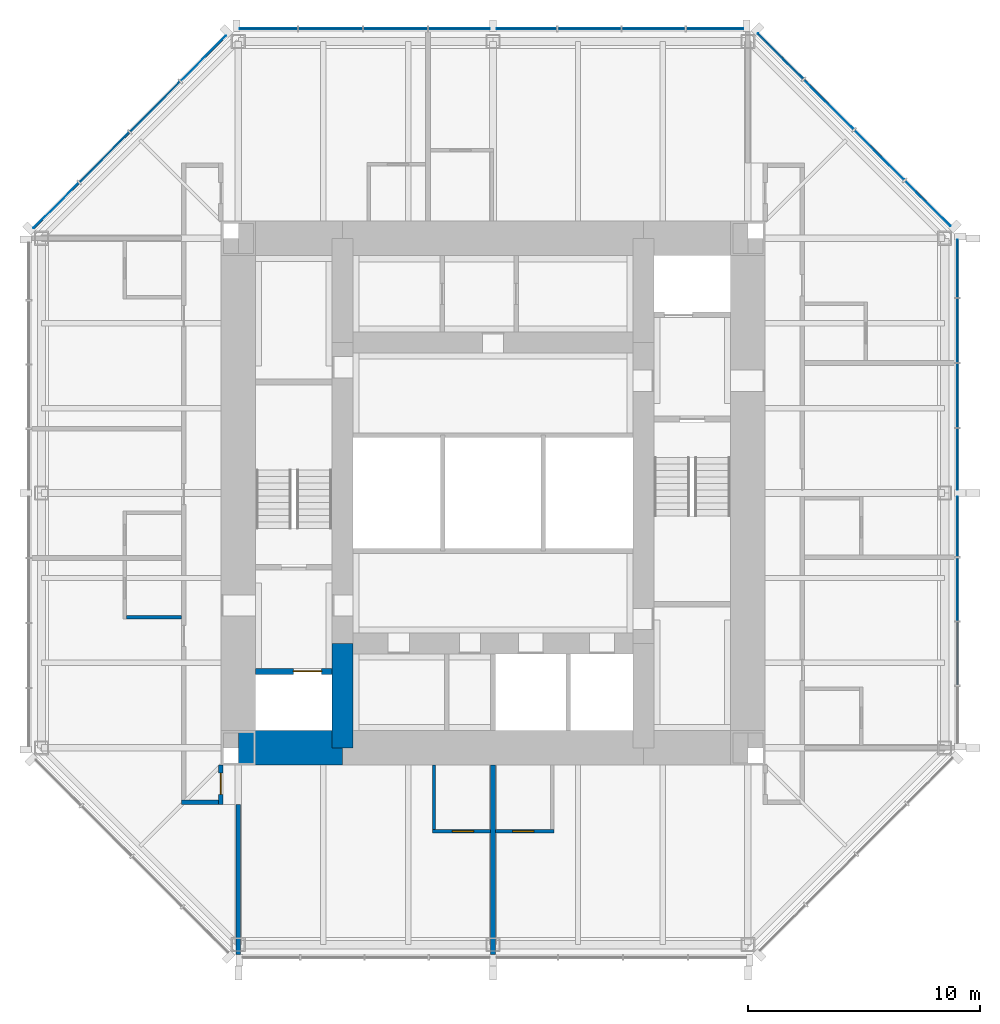
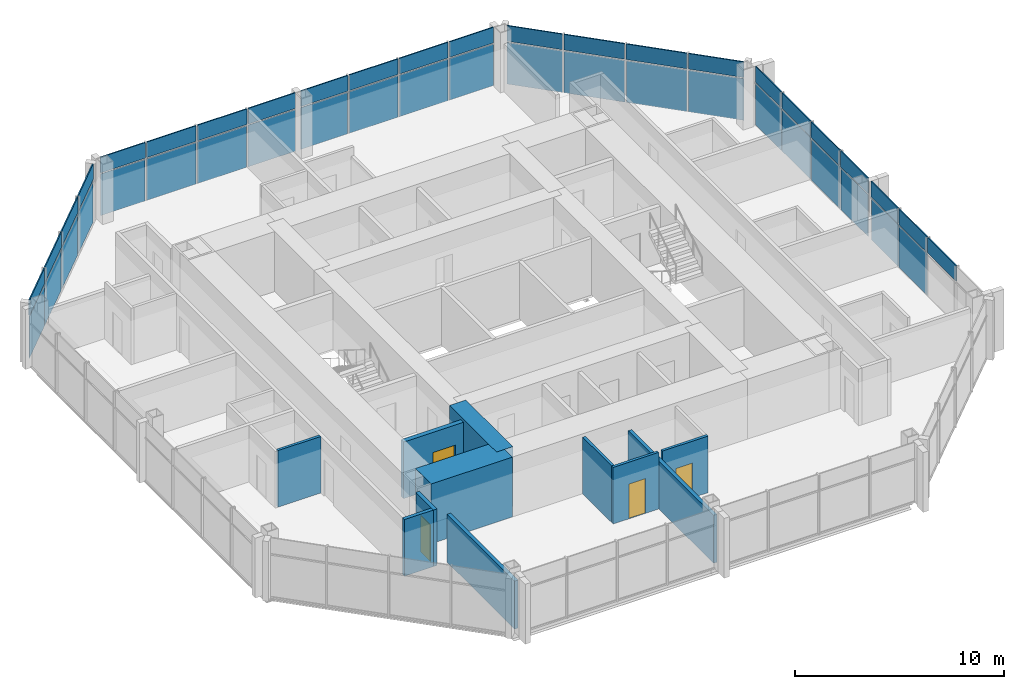
# One storey, part 7 of 11: 45 plates, 11 walls, 4 doors, 4 openings, 4 elements without a shape of their own.
"""IFC4 building model written with IfcOpenShell, lengths in metres."""

from ifc_helpers import new_model, si_unit, direction, frame, frame_2d, origin, origin_2d, place, context, subcontext, project, spatial, rectangle, extrude, material, layer, layer_set, type_object, element, fill, aggregate, save


model = new_model("IFC4")

# Units and contexts
model_context = context("Model", 3, precision=1e-05, world=origin(), true_north=direction((0.0, 1.0)))
body_context = subcontext(model_context, "Body", "Model", "MODEL_VIEW")
ifc_project = project(units=[si_unit("LENGTHUNIT", "METRE"), si_unit("AREAUNIT", "SQUARE_METRE"), si_unit("VOLUMEUNIT", "CUBIC_METRE"), si_unit("PLANEANGLEUNIT", "RADIAN"), si_unit("MASSUNIT", "GRAM", prefix="KILO")], contexts=[model_context])

# Site, building, storey
site_placement = place(None, origin())
site = spatial("IfcSite", under=ifc_project, at=site_placement, CompositionType="ELEMENT")
building_placement = place(site_placement, origin())
building = spatial("IfcBuilding", under=site, at=building_placement, Name="Trevanion Tower", CompositionType="ELEMENT")
storey_placement = place(building_placement, frame((0.0, 0.0, 236.199951171875)))
storey = spatial("IfcBuildingStorey", under=building, at=storey_placement, Name="L57", CompositionType="ELEMENT", Elevation=236.199951171875)

# Curtain wall, plates
ifc_material_1 = material(Name="Aluminium and glass", Category="aluminium")
curtain_wall_type = type_object("IfcCurtainWallType", Name="CW3 curtain wall", PredefinedType="USERDEFINED", material=ifc_material_1)
curtain_wall_1_placement = place(storey_placement, origin())
curtain_wall_1 = element("IfcCurtainWall", 1, at=curtain_wall_1_placement, inside=storey, type_object=curtain_wall_type, Name="CW3 L57 0", ObjectType="UNITISED CURTAIN WALL", PredefinedType="USERDEFINED")
ifc_material_2 = material(Name="Aluminium spandrel panel", Category="aluminium")
ifc_layer_1 = layer(ifc_material_2, 0.06005859375)
ifc_layer_set_1 = layer_set([ifc_layer_1], Name="CW3 spandrel panel")
plate_type_1 = type_object("IfcPlateType", Name="CW3 spandrel panel", PredefinedType="CURTAIN_PANEL", material=ifc_layer_set_1)
plate_1_placement = place(storey_placement, frame((20.050048828125, -6.93603515625, 2.3974609375), z_axis=(0.0, 0.0, 1.0), x_axis=(0.0, 1.0, 0.0)))
plate_1 = element("IfcPlate", 2, at=plate_1_placement, type_object=plate_type_1, Name="CW3 panel 2.2", PredefinedType="CURTAIN_PANEL", context=body_context, shape_type="SweptSolid", body=[
    extrude(rectangle(XDim=2.699462890625, YDim=0.06005859375, at=origin_2d()), origin(), (0.0, 0.0, 1.0), 0.91259765625),
])
plate_2_placement = place(storey_placement, frame((20.050048828125, -4.16162109375, 2.3974609375), z_axis=(0.0, 0.0, 1.0), x_axis=(0.0, 1.0, 0.0)))
plate_2 = element("IfcPlate", 3, at=plate_2_placement, type_object=plate_type_1, Name="CW3 panel 3.2", PredefinedType="CURTAIN_PANEL", context=body_context, shape_type="SweptSolid", body=[
    extrude(rectangle(XDim=2.699462890625, YDim=0.06005859375, at=origin_2d()), origin(), (0.0, 0.0, 1.0), 0.91259765625),
])
plate_3_placement = place(storey_placement, frame((20.050048828125, -1.443603515625, 2.3974609375), z_axis=(0.0, 0.0, 1.0), x_axis=(0.0, 1.0, 0.0)))
plate_3 = element("IfcPlate", 4, at=plate_3_placement, type_object=plate_type_1, Name="CW3 panel 4.2", PredefinedType="CURTAIN_PANEL", context=body_context, shape_type="SweptSolid", body=[
    extrude(rectangle(XDim=2.5869140625, YDim=0.06005859375, at=origin_2d()), origin(), (0.0, 0.0, 1.0), 0.91259765625),
])
plate_4_placement = place(storey_placement, frame((20.050048828125, 1.459716796875, 2.3974609375), z_axis=(0.0, 0.0, 1.0), x_axis=(0.0, 1.0, 0.0)))
plate_4 = element("IfcPlate", 5, at=plate_4_placement, type_object=plate_type_1, Name="CW3 panel 5.2", PredefinedType="CURTAIN_PANEL", context=body_context, shape_type="SweptSolid", body=[
    extrude(rectangle(XDim=2.619384765625, YDim=0.06005859375, at=origin_2d()), origin(), (0.0, 0.0, 1.0), 0.91259765625),
])
plate_5_placement = place(storey_placement, frame((20.050048828125, 4.21044921875, 2.3974609375), z_axis=(0.0, 0.0, 1.0), x_axis=(0.0, 1.0, 0.0)))
plate_5 = element("IfcPlate", 6, at=plate_5_placement, type_object=plate_type_1, Name="CW3 panel 6.2", PredefinedType="CURTAIN_PANEL", context=body_context, shape_type="SweptSolid", body=[
    extrude(rectangle(XDim=2.73193359375, YDim=0.06005859375, at=origin_2d()), origin(), (0.0, 0.0, 1.0), 0.91259765625),
])
plate_6_placement = place(storey_placement, frame((20.050048828125, 7.017333984375, 2.3974609375), z_axis=(0.0, 0.0, 1.0), x_axis=(0.0, 1.0, 0.0)))
plate_6 = element("IfcPlate", 7, at=plate_6_placement, type_object=plate_type_1, Name="CW3 panel 7.2", PredefinedType="CURTAIN_PANEL", context=body_context, shape_type="SweptSolid", body=[
    extrude(rectangle(XDim=2.73193359375, YDim=0.06005859375, at=origin_2d()), origin(), (0.0, 0.0, 1.0), 0.91259765625),
])
plate_7_placement = place(storey_placement, frame((20.050048828125, 9.693115234375, 2.3974609375), z_axis=(0.0, 0.0, 1.0), x_axis=(0.0, 1.0, 0.0)))
plate_7 = element("IfcPlate", 8, at=plate_7_placement, type_object=plate_type_1, Name="CW3 panel 8.2", PredefinedType="CURTAIN_PANEL", context=body_context, shape_type="SweptSolid", body=[
    extrude(rectangle(XDim=2.469482421875, YDim=0.06005859375, at=origin_2d()), origin(), (0.0, 0.0, 1.0), 0.91259765625),
])

curtain_wall_2_placement = place(storey_placement, origin())
curtain_wall_2 = element("IfcCurtainWall", 9, at=curtain_wall_2_placement, inside=storey, type_object=curtain_wall_type, Name="CW3 L57 1", ObjectType="UNITISED CURTAIN WALL", PredefinedType="USERDEFINED")
plate_8_placement = place(storey_placement, frame((18.77392578125, 12.50390625, 2.3974609375), z_axis=(0.0, 0.0, 1.0), x_axis=(-0.707106781187, 0.707106781187, 0.0)))
plate_8 = element("IfcPlate", 10, at=plate_8_placement, type_object=plate_type_1, Name="CW3 panel 1.2", PredefinedType="CURTAIN_PANEL", context=body_context, shape_type="SweptSolid", body=[
    extrude(rectangle(XDim=2.7490234375, YDim=0.06005859375, at=origin_2d()), origin(), (0.0, 0.0, 1.0), 0.91259765625),
])
plate_9_placement = place(storey_placement, frame((16.68408203125, 14.593505859375, 2.3974609375), z_axis=(0.0, 0.0, 1.0), x_axis=(-0.707106781187, 0.707106781187, 0.0)))
plate_9 = element("IfcPlate", 11, at=plate_9_placement, type_object=plate_type_1, Name="CW3 panel 2.2", PredefinedType="CURTAIN_PANEL", context=body_context, shape_type="SweptSolid", body=[
    extrude(rectangle(XDim=3.01171875, YDim=0.06005859375, at=origin_2d()), origin(), (0.0, 0.0, 1.0), 0.91259765625),
])
plate_10_placement = place(storey_placement, frame((14.501708984375, 16.776123046875, 2.3974609375), z_axis=(0.0, 0.0, 1.0), x_axis=(-0.707106781187, 0.707106781187, 0.0)))
plate_10 = element("IfcPlate", 12, at=plate_10_placement, type_object=plate_type_1, Name="CW3 panel 3.2", PredefinedType="CURTAIN_PANEL", context=body_context, shape_type="SweptSolid", body=[
    extrude(rectangle(XDim=3.01171875, YDim=0.06005859375, at=origin_2d()), origin(), (0.0, 0.0, 1.0), 0.91259765625),
])
plate_11_placement = place(storey_placement, frame((12.411865234375, 18.865966796875, 2.3974609375), z_axis=(0.0, 0.0, 1.0), x_axis=(-0.707106781187, 0.707106781187, 0.0)))
plate_11 = element("IfcPlate", 13, at=plate_11_placement, type_object=plate_type_1, Name="CW3 panel 4.2", PredefinedType="CURTAIN_PANEL", context=body_context, shape_type="SweptSolid", body=[
    extrude(rectangle(XDim=2.7490234375, YDim=0.06005859375, at=origin_2d()), origin(), (0.0, 0.0, 1.0), 0.91259765625),
])

curtain_wall_3_placement = place(storey_placement, origin())
curtain_wall_3 = element("IfcCurtainWall", 14, at=curtain_wall_3_placement, inside=storey, type_object=curtain_wall_type, Name="CW3 L57 2", ObjectType="UNITISED CURTAIN WALL", PredefinedType="USERDEFINED")
plate_12_placement = place(storey_placement, frame((9.579345703125, 20.050048828125, 2.3974609375), z_axis=(0.0, 0.0, 1.0), x_axis=(-1.0, 0.0, 0.0)))
plate_12 = element("IfcPlate", 15, at=plate_12_placement, type_object=plate_type_1, Name="CW3 panel 1.2", PredefinedType="CURTAIN_PANEL", context=body_context, shape_type="SweptSolid", body=[
    extrude(rectangle(XDim=2.43701171875, YDim=0.06005859375, at=origin_2d()), origin(), (0.0, 0.0, 1.0), 0.91259765625),
])
plate_13_placement = place(storey_placement, frame((6.93603515625, 20.050048828125, 2.3974609375), z_axis=(0.0, 0.0, 1.0), x_axis=(-1.0, 0.0, 0.0)))
plate_13 = element("IfcPlate", 16, at=plate_13_placement, type_object=plate_type_1, Name="CW3 panel 2.2", PredefinedType="CURTAIN_PANEL", context=body_context, shape_type="SweptSolid", body=[
    extrude(rectangle(XDim=2.699462890625, YDim=0.06005859375, at=origin_2d()), origin(), (0.0, 0.0, 1.0), 0.91259765625),
])
plate_14_placement = place(storey_placement, frame((4.16162109375, 20.050048828125, 2.3974609375), z_axis=(0.0, 0.0, 1.0), x_axis=(-1.0, 0.0, 0.0)))
plate_14 = element("IfcPlate", 17, at=plate_14_placement, type_object=plate_type_1, Name="CW3 panel 3.2", PredefinedType="CURTAIN_PANEL", context=body_context, shape_type="SweptSolid", body=[
    extrude(rectangle(XDim=2.699462890625, YDim=0.06005859375, at=origin_2d()), origin(), (0.0, 0.0, 1.0), 0.91259765625),
])
plate_15_placement = place(storey_placement, frame((1.443603515625, 20.050048828125, 2.3974609375), z_axis=(0.0, 0.0, 1.0), x_axis=(-1.0, 0.0, 0.0)))
plate_15 = element("IfcPlate", 18, at=plate_15_placement, type_object=plate_type_1, Name="CW3 panel 4.2", PredefinedType="CURTAIN_PANEL", context=body_context, shape_type="SweptSolid", body=[
    extrude(rectangle(XDim=2.5869140625, YDim=0.06005859375, at=origin_2d()), origin(), (0.0, 0.0, 1.0), 0.91259765625),
])
plate_16_placement = place(storey_placement, frame((-1.459716796875, 20.050048828125, 2.3974609375), z_axis=(0.0, 0.0, 1.0), x_axis=(-1.0, 0.0, 0.0)))
plate_16 = element("IfcPlate", 19, at=plate_16_placement, type_object=plate_type_1, Name="CW3 panel 5.2", PredefinedType="CURTAIN_PANEL", context=body_context, shape_type="SweptSolid", body=[
    extrude(rectangle(XDim=2.619384765625, YDim=0.06005859375, at=origin_2d()), origin(), (0.0, 0.0, 1.0), 0.91259765625),
])
plate_17_placement = place(storey_placement, frame((-4.21044921875, 20.050048828125, 2.3974609375), z_axis=(0.0, 0.0, 1.0), x_axis=(-1.0, 0.0, 0.0)))
plate_17 = element("IfcPlate", 20, at=plate_17_placement, type_object=plate_type_1, Name="CW3 panel 6.2", PredefinedType="CURTAIN_PANEL", context=body_context, shape_type="SweptSolid", body=[
    extrude(rectangle(XDim=2.73193359375, YDim=0.06005859375, at=origin_2d()), origin(), (0.0, 0.0, 1.0), 0.91259765625),
])
plate_18_placement = place(storey_placement, frame((-7.017333984375, 20.050048828125, 2.3974609375), z_axis=(0.0, 0.0, 1.0), x_axis=(-1.0, 0.0, 0.0)))
plate_18 = element("IfcPlate", 21, at=plate_18_placement, type_object=plate_type_1, Name="CW3 panel 7.2", PredefinedType="CURTAIN_PANEL", context=body_context, shape_type="SweptSolid", body=[
    extrude(rectangle(XDim=2.73193359375, YDim=0.06005859375, at=origin_2d()), origin(), (0.0, 0.0, 1.0), 0.91259765625),
])
plate_19_placement = place(storey_placement, frame((-9.693115234375, 20.050048828125, 2.3974609375), z_axis=(0.0, 0.0, 1.0), x_axis=(-1.0, 0.0, 0.0)))
plate_19 = element("IfcPlate", 22, at=plate_19_placement, type_object=plate_type_1, Name="CW3 panel 8.2", PredefinedType="CURTAIN_PANEL", context=body_context, shape_type="SweptSolid", body=[
    extrude(rectangle(XDim=2.469482421875, YDim=0.06005859375, at=origin_2d()), origin(), (0.0, 0.0, 1.0), 0.91259765625),
])

curtain_wall_4_placement = place(storey_placement, origin())
curtain_wall_4 = element("IfcCurtainWall", 23, at=curtain_wall_4_placement, inside=storey, type_object=curtain_wall_type, Name="CW3 L57 3", ObjectType="UNITISED CURTAIN WALL", PredefinedType="USERDEFINED")
plate_20_placement = place(storey_placement, frame((-12.50390625, 18.77392578125, 2.3974609375), z_axis=(0.0, 0.0, 1.0), x_axis=(-0.707106781187, -0.707106781187, 0.0)))
plate_20 = element("IfcPlate", 24, at=plate_20_placement, type_object=plate_type_1, Name="CW3 panel 1.2", PredefinedType="CURTAIN_PANEL", context=body_context, shape_type="SweptSolid", body=[
    extrude(rectangle(XDim=2.7490234375, YDim=0.06005859375, at=origin_2d()), origin(), (0.0, 0.0, 1.0), 0.91259765625),
])
plate_21_placement = place(storey_placement, frame((-14.593505859375, 16.68408203125, 2.3974609375), z_axis=(0.0, 0.0, 1.0), x_axis=(-0.707106781187, -0.707106781187, 0.0)))
plate_21 = element("IfcPlate", 25, at=plate_21_placement, type_object=plate_type_1, Name="CW3 panel 2.2", PredefinedType="CURTAIN_PANEL", context=body_context, shape_type="SweptSolid", body=[
    extrude(rectangle(XDim=3.01171875, YDim=0.06005859375, at=origin_2d()), origin(), (0.0, 0.0, 1.0), 0.91259765625),
])
plate_22_placement = place(storey_placement, frame((-16.776123046875, 14.501708984375, 2.3974609375), z_axis=(0.0, 0.0, 1.0), x_axis=(-0.707106781187, -0.707106781187, 0.0)))
plate_22 = element("IfcPlate", 26, at=plate_22_placement, type_object=plate_type_1, Name="CW3 panel 3.2", PredefinedType="CURTAIN_PANEL", context=body_context, shape_type="SweptSolid", body=[
    extrude(rectangle(XDim=3.01171875, YDim=0.06005859375, at=origin_2d()), origin(), (0.0, 0.0, 1.0), 0.91259765625),
])
plate_23_placement = place(storey_placement, frame((-18.865966796875, 12.411865234375, 2.3974609375), z_axis=(0.0, 0.0, 1.0), x_axis=(-0.707106781187, -0.707106781187, 0.0)))
plate_23 = element("IfcPlate", 27, at=plate_23_placement, type_object=plate_type_1, Name="CW3 panel 4.2", PredefinedType="CURTAIN_PANEL", context=body_context, shape_type="SweptSolid", body=[
    extrude(rectangle(XDim=2.7490234375, YDim=0.06005859375, at=origin_2d()), origin(), (0.0, 0.0, 1.0), 0.91259765625),
])

# Plate
ifc_material_3 = material(Name="Insulating glass unit", Category="glass")
ifc_layer_2 = layer(ifc_material_3, 0.028076171875)
ifc_layer_set_2 = layer_set([ifc_layer_2], Name="CW3 vision panel")
plate_type_2 = type_object("IfcPlateType", Name="CW3 vision panel", PredefinedType="CURTAIN_PANEL", material=ifc_layer_set_2)
plate_24_placement = place(storey_placement, frame((20.050048828125, -4.16162109375, -0.114990234375), z_axis=(0.0, 0.0, 1.0), x_axis=(0.0, 1.0, 0.0)))
plate_24 = element("IfcPlate", 28, at=plate_24_placement, type_object=plate_type_2, Name="CW3 panel 3.1", PredefinedType="CURTAIN_PANEL", context=body_context, shape_type="SweptSolid", body=[
    extrude(rectangle(XDim=2.699462890625, YDim=0.028076171875, at=origin_2d()), origin(), (0.0, 0.0, 1.0), 2.4375),
])

plate_25_placement = place(storey_placement, frame((20.050048828125, -1.443603515625, -0.114990234375), z_axis=(0.0, 0.0, 1.0), x_axis=(0.0, 1.0, 0.0)))
plate_25 = element("IfcPlate", 29, at=plate_25_placement, type_object=plate_type_2, Name="CW3 panel 4.1", PredefinedType="CURTAIN_PANEL", context=body_context, shape_type="SweptSolid", body=[
    extrude(rectangle(XDim=2.5869140625, YDim=0.028076171875, at=origin_2d()), origin(), (0.0, 0.0, 1.0), 2.4375),
])

plate_26_placement = place(storey_placement, frame((20.050048828125, 1.459716796875, -0.114990234375), z_axis=(0.0, 0.0, 1.0), x_axis=(0.0, 1.0, 0.0)))
plate_26 = element("IfcPlate", 30, at=plate_26_placement, type_object=plate_type_2, Name="CW3 panel 5.1", PredefinedType="CURTAIN_PANEL", context=body_context, shape_type="SweptSolid", body=[
    extrude(rectangle(XDim=2.619384765625, YDim=0.028076171875, at=origin_2d()), origin(), (0.0, 0.0, 1.0), 2.4375),
])

plate_27_placement = place(storey_placement, frame((20.050048828125, 4.21044921875, -0.114990234375), z_axis=(0.0, 0.0, 1.0), x_axis=(0.0, 1.0, 0.0)))
plate_27 = element("IfcPlate", 31, at=plate_27_placement, type_object=plate_type_2, Name="CW3 panel 6.1", PredefinedType="CURTAIN_PANEL", context=body_context, shape_type="SweptSolid", body=[
    extrude(rectangle(XDim=2.73193359375, YDim=0.028076171875, at=origin_2d()), origin(), (0.0, 0.0, 1.0), 2.4375),
])

plate_28_placement = place(storey_placement, frame((20.050048828125, 7.017333984375, -0.114990234375), z_axis=(0.0, 0.0, 1.0), x_axis=(0.0, 1.0, 0.0)))
plate_28 = element("IfcPlate", 32, at=plate_28_placement, type_object=plate_type_2, Name="CW3 panel 7.1", PredefinedType="CURTAIN_PANEL", context=body_context, shape_type="SweptSolid", body=[
    extrude(rectangle(XDim=2.73193359375, YDim=0.028076171875, at=origin_2d()), origin(), (0.0, 0.0, 1.0), 2.4375),
])

plate_29_placement = place(storey_placement, frame((20.050048828125, 9.693115234375, -0.114990234375), z_axis=(0.0, 0.0, 1.0), x_axis=(0.0, 1.0, 0.0)))
plate_29 = element("IfcPlate", 33, at=plate_29_placement, type_object=plate_type_2, Name="CW3 panel 8.1", PredefinedType="CURTAIN_PANEL", context=body_context, shape_type="SweptSolid", body=[
    extrude(rectangle(XDim=2.469482421875, YDim=0.028076171875, at=origin_2d()), origin(), (0.0, 0.0, 1.0), 2.4375),
])

aggregate(curtain_wall_1, [plate_1, plate_24, plate_2, plate_25, plate_3, plate_26, plate_4, plate_27, plate_5, plate_28, plate_6, plate_29, plate_7])

plate_30_placement = place(storey_placement, frame((18.77392578125, 12.50390625, -0.114990234375), z_axis=(0.0, 0.0, 1.0), x_axis=(-0.707106781187, 0.707106781187, 0.0)))
plate_30 = element("IfcPlate", 34, at=plate_30_placement, type_object=plate_type_2, Name="CW3 panel 1.1", PredefinedType="CURTAIN_PANEL", context=body_context, shape_type="SweptSolid", body=[
    extrude(rectangle(XDim=2.7490234375, YDim=0.028076171875, at=origin_2d()), origin(), (0.0, 0.0, 1.0), 2.4375),
])

plate_31_placement = place(storey_placement, frame((16.68408203125, 14.593505859375, -0.114990234375), z_axis=(0.0, 0.0, 1.0), x_axis=(-0.707106781187, 0.707106781187, 0.0)))
plate_31 = element("IfcPlate", 35, at=plate_31_placement, type_object=plate_type_2, Name="CW3 panel 2.1", PredefinedType="CURTAIN_PANEL", context=body_context, shape_type="SweptSolid", body=[
    extrude(rectangle(XDim=3.01171875, YDim=0.028076171875, at=origin_2d()), origin(), (0.0, 0.0, 1.0), 2.4375),
])

plate_32_placement = place(storey_placement, frame((14.501708984375, 16.776123046875, -0.114990234375), z_axis=(0.0, 0.0, 1.0), x_axis=(-0.707106781187, 0.707106781187, 0.0)))
plate_32 = element("IfcPlate", 36, at=plate_32_placement, type_object=plate_type_2, Name="CW3 panel 3.1", PredefinedType="CURTAIN_PANEL", context=body_context, shape_type="SweptSolid", body=[
    extrude(rectangle(XDim=3.01171875, YDim=0.028076171875, at=origin_2d()), origin(), (0.0, 0.0, 1.0), 2.4375),
])

plate_33_placement = place(storey_placement, frame((12.411865234375, 18.865966796875, -0.114990234375), z_axis=(0.0, 0.0, 1.0), x_axis=(-0.707106781187, 0.707106781187, 0.0)))
plate_33 = element("IfcPlate", 37, at=plate_33_placement, type_object=plate_type_2, Name="CW3 panel 4.1", PredefinedType="CURTAIN_PANEL", context=body_context, shape_type="SweptSolid", body=[
    extrude(rectangle(XDim=2.7490234375, YDim=0.028076171875, at=origin_2d()), origin(), (0.0, 0.0, 1.0), 2.4375),
])

aggregate(curtain_wall_2, [plate_30, plate_8, plate_31, plate_9, plate_32, plate_10, plate_33, plate_11])

plate_34_placement = place(storey_placement, frame((9.579345703125, 20.050048828125, -0.114990234375), z_axis=(0.0, 0.0, 1.0), x_axis=(-1.0, 0.0, 0.0)))
plate_34 = element("IfcPlate", 38, at=plate_34_placement, type_object=plate_type_2, Name="CW3 panel 1.1", PredefinedType="CURTAIN_PANEL", context=body_context, shape_type="SweptSolid", body=[
    extrude(rectangle(XDim=2.43701171875, YDim=0.028076171875, at=origin_2d()), origin(), (0.0, 0.0, 1.0), 2.4375),
])

plate_35_placement = place(storey_placement, frame((6.93603515625, 20.050048828125, -0.114990234375), z_axis=(0.0, 0.0, 1.0), x_axis=(-1.0, 0.0, 0.0)))
plate_35 = element("IfcPlate", 39, at=plate_35_placement, type_object=plate_type_2, Name="CW3 panel 2.1", PredefinedType="CURTAIN_PANEL", context=body_context, shape_type="SweptSolid", body=[
    extrude(rectangle(XDim=2.699462890625, YDim=0.028076171875, at=origin_2d()), origin(), (0.0, 0.0, 1.0), 2.4375),
])

plate_36_placement = place(storey_placement, frame((4.16162109375, 20.050048828125, -0.114990234375), z_axis=(0.0, 0.0, 1.0), x_axis=(-1.0, 0.0, 0.0)))
plate_36 = element("IfcPlate", 40, at=plate_36_placement, type_object=plate_type_2, Name="CW3 panel 3.1", PredefinedType="CURTAIN_PANEL", context=body_context, shape_type="SweptSolid", body=[
    extrude(rectangle(XDim=2.699462890625, YDim=0.028076171875, at=origin_2d()), origin(), (0.0, 0.0, 1.0), 2.4375),
])

plate_37_placement = place(storey_placement, frame((1.443603515625, 20.050048828125, -0.114990234375), z_axis=(0.0, 0.0, 1.0), x_axis=(-1.0, 0.0, 0.0)))
plate_37 = element("IfcPlate", 41, at=plate_37_placement, type_object=plate_type_2, Name="CW3 panel 4.1", PredefinedType="CURTAIN_PANEL", context=body_context, shape_type="SweptSolid", body=[
    extrude(rectangle(XDim=2.5869140625, YDim=0.028076171875, at=origin_2d()), origin(), (0.0, 0.0, 1.0), 2.4375),
])

plate_38_placement = place(storey_placement, frame((-1.459716796875, 20.050048828125, -0.114990234375), z_axis=(0.0, 0.0, 1.0), x_axis=(-1.0, 0.0, 0.0)))
plate_38 = element("IfcPlate", 42, at=plate_38_placement, type_object=plate_type_2, Name="CW3 panel 5.1", PredefinedType="CURTAIN_PANEL", context=body_context, shape_type="SweptSolid", body=[
    extrude(rectangle(XDim=2.619384765625, YDim=0.028076171875, at=origin_2d()), origin(), (0.0, 0.0, 1.0), 2.4375),
])

plate_39_placement = place(storey_placement, frame((-4.21044921875, 20.050048828125, -0.114990234375), z_axis=(0.0, 0.0, 1.0), x_axis=(-1.0, 0.0, 0.0)))
plate_39 = element("IfcPlate", 43, at=plate_39_placement, type_object=plate_type_2, Name="CW3 panel 6.1", PredefinedType="CURTAIN_PANEL", context=body_context, shape_type="SweptSolid", body=[
    extrude(rectangle(XDim=2.73193359375, YDim=0.028076171875, at=origin_2d()), origin(), (0.0, 0.0, 1.0), 2.4375),
])

plate_40_placement = place(storey_placement, frame((-7.017333984375, 20.050048828125, -0.114990234375), z_axis=(0.0, 0.0, 1.0), x_axis=(-1.0, 0.0, 0.0)))
plate_40 = element("IfcPlate", 44, at=plate_40_placement, type_object=plate_type_2, Name="CW3 panel 7.1", PredefinedType="CURTAIN_PANEL", context=body_context, shape_type="SweptSolid", body=[
    extrude(rectangle(XDim=2.73193359375, YDim=0.028076171875, at=origin_2d()), origin(), (0.0, 0.0, 1.0), 2.4375),
])

plate_41_placement = place(storey_placement, frame((-9.693115234375, 20.050048828125, -0.114990234375), z_axis=(0.0, 0.0, 1.0), x_axis=(-1.0, 0.0, 0.0)))
plate_41 = element("IfcPlate", 45, at=plate_41_placement, type_object=plate_type_2, Name="CW3 panel 8.1", PredefinedType="CURTAIN_PANEL", context=body_context, shape_type="SweptSolid", body=[
    extrude(rectangle(XDim=2.469482421875, YDim=0.028076171875, at=origin_2d()), origin(), (0.0, 0.0, 1.0), 2.4375),
])

aggregate(curtain_wall_3, [plate_34, plate_12, plate_35, plate_13, plate_36, plate_14, plate_37, plate_15, plate_38, plate_16, plate_39, plate_17, plate_40, plate_18, plate_41, plate_19])

plate_42_placement = place(storey_placement, frame((-12.50390625, 18.77392578125, -0.114990234375), z_axis=(0.0, 0.0, 1.0), x_axis=(-0.707106781187, -0.707106781187, 0.0)))
plate_42 = element("IfcPlate", 46, at=plate_42_placement, type_object=plate_type_2, Name="CW3 panel 1.1", PredefinedType="CURTAIN_PANEL", context=body_context, shape_type="SweptSolid", body=[
    extrude(rectangle(XDim=2.7490234375, YDim=0.028076171875, at=origin_2d()), origin(), (0.0, 0.0, 1.0), 2.4375),
])

plate_43_placement = place(storey_placement, frame((-14.593505859375, 16.68408203125, -0.114990234375), z_axis=(0.0, 0.0, 1.0), x_axis=(-0.707106781187, -0.707106781187, 0.0)))
plate_43 = element("IfcPlate", 47, at=plate_43_placement, type_object=plate_type_2, Name="CW3 panel 2.1", PredefinedType="CURTAIN_PANEL", context=body_context, shape_type="SweptSolid", body=[
    extrude(rectangle(XDim=3.01171875, YDim=0.028076171875, at=origin_2d()), origin(), (0.0, 0.0, 1.0), 2.4375),
])

plate_44_placement = place(storey_placement, frame((-16.776123046875, 14.501708984375, -0.114990234375), z_axis=(0.0, 0.0, 1.0), x_axis=(-0.707106781187, -0.707106781187, 0.0)))
plate_44 = element("IfcPlate", 48, at=plate_44_placement, type_object=plate_type_2, Name="CW3 panel 3.1", PredefinedType="CURTAIN_PANEL", context=body_context, shape_type="SweptSolid", body=[
    extrude(rectangle(XDim=3.01171875, YDim=0.028076171875, at=origin_2d()), origin(), (0.0, 0.0, 1.0), 2.4375),
])

plate_45_placement = place(storey_placement, frame((-18.865966796875, 12.411865234375, -0.114990234375), z_axis=(0.0, 0.0, 1.0), x_axis=(-0.707106781187, -0.707106781187, 0.0)))
plate_45 = element("IfcPlate", 49, at=plate_45_placement, type_object=plate_type_2, Name="CW3 panel 4.1", PredefinedType="CURTAIN_PANEL", context=body_context, shape_type="SweptSolid", body=[
    extrude(rectangle(XDim=2.7490234375, YDim=0.028076171875, at=origin_2d()), origin(), (0.0, 0.0, 1.0), 2.4375),
])

aggregate(curtain_wall_4, [plate_42, plate_20, plate_43, plate_21, plate_44, plate_22, plate_45, plate_23])

# Walls
ifc_material_4 = material(Name="Concrete 10,000 psi", Category="concrete")
ifc_layer_3 = layer(ifc_material_4, 1.5)
ifc_layer_set_3 = layer_set([ifc_layer_3], Name="CW1 core wall 1500")
wall_type_1 = type_object("IfcWallType", Name="CW1 core wall 1500", PredefinedType="SHEAR", material=ifc_layer_set_3)
wall_1_placement = place(storey_placement, frame((-11.0, -11.0, 0.0), z_axis=(0.0, 0.0, 1.0), x_axis=(1.0, 0.0, 0.0)))
element("IfcWall", 50, at=wall_1_placement, inside=storey, type_object=wall_type_1, Name="CW1 CS1 L57", PredefinedType="SHEAR", context=body_context, shape_type="SweptSolid", body=[
    extrude(rectangle(XDim=4.5, YDim=1.5, at=frame_2d((2.25, 0.0))), origin(), (0.0, 0.0, 1.0), 3.5),
])
ifc_material_5 = material(Name="Concrete 10,000 psi", Category="concrete")
ifc_layer_4 = layer(ifc_material_5, 0.89990234375)
ifc_layer_set_4 = layer_set([ifc_layer_4], Name="CW2 core wall 900")
wall_type_2 = type_object("IfcWallType", Name="CW2 core wall 900", PredefinedType="SHEAR", material=ifc_layer_set_4)
wall_2_placement = place(storey_placement, frame((-6.5, -6.5, 0.0), z_axis=(0.0, 0.0, 1.0), x_axis=(0.0, -1.0, 0.0)))
element("IfcWall", 51, at=wall_2_placement, inside=storey, type_object=wall_type_2, Name="CW2 RW3 L57", PredefinedType="SHEAR", context=body_context, shape_type="SweptSolid", body=[
    extrude(rectangle(XDim=4.5, YDim=0.89990234375, at=frame_2d((2.25, 0.0))), origin(), (0.0, 0.0, 1.0), 3.5),
])
ifc_material_6 = material(Name="Gypsum board on steel studs", Category="steel")
ifc_layer_5 = layer(ifc_material_6, 0.14990234375)
ifc_layer_set_5 = layer_set([ifc_layer_5], Name="PT1 partition 150")
wall_type_3 = type_object("IfcWallType", Name="PT1 partition 150", PredefinedType="PARTITIONING", material=ifc_layer_set_5)
wall_3_placement = place(storey_placement, frame((-13.449951171875, -5.35693359375, 0.0), z_axis=(0.0, 0.0, 1.0), x_axis=(-1.0, 0.0, 0.0)))
element("IfcWall", 52, at=wall_3_placement, inside=storey, type_object=wall_type_3, Name="PT1 L57 BB22", PredefinedType="PARTITIONING", context=body_context, shape_type="SweptSolid", body=[
    extrude(rectangle(XDim=2.375, YDim=0.14990234375, at=frame_2d((1.1875, 0.0))), origin(), (0.0, 0.0, 1.0), 3.31005859375),
])

# Wall, opening, door
wall_4_placement = place(storey_placement, frame((-2.625, -14.60009765625, 0.0), z_axis=(0.0, 0.0, 1.0), x_axis=(1.0, 0.0, 0.0)))
wall_4 = element("IfcWall", 53, at=wall_4_placement, inside=storey, type_object=wall_type_3, Name="PT1 L57 BA30", PredefinedType="PARTITIONING", context=body_context, shape_type="SweptSolid", body=[
    extrude(rectangle(XDim=2.52490234375, YDim=0.14990234375, at=frame_2d((1.262451171875, 0.0))), origin(), (0.0, 0.0, 1.0), 3.31005859375),
])
opening_1_placement = place(wall_4_placement, frame((0.867431640625, 0.0, 0.0)))
opening_1 = element("IfcOpeningElement", 54, at=opening_1_placement, cuts=wall_4, Name="Opening 57-036", PredefinedType="OPENING", context=body_context, shape_type="SweptSolid", body=[
    extrude(rectangle(XDim=0.9150390625, YDim=2.031982421875, at=frame_2d((0.45751953125, 1.01611328125))), frame((0.0, 0.0849609375, 0.0), z_axis=(0.0, -1.0, 0.0), x_axis=(1.0, 0.0, 0.0)), (0.0, 0.0, 1.0), 0.169921875),
])
ifc_material_7 = material(Name="Timber veneer", Category="wood")
door_type_1 = type_object("IfcDoorType", Name="D7 bathroom door", OperationType="SINGLE_SWING_LEFT", PredefinedType="DOOR", material=ifc_material_7)
door_1_placement = place(opening_1_placement, origin())
door_1 = element("IfcDoor", 55, at=door_1_placement, inside=storey, type_object=door_type_1, Name="Door 57-036", OperationType="SINGLE_SWING_LEFT", OverallHeight=2.031982421875, OverallWidth=0.9150390625, PredefinedType="DOOR", context=body_context, shape_type="SweptSolid", body=[
    extrude(rectangle(XDim=0.9150390625, YDim=2.031982421875, at=frame_2d((0.45751953125, 1.01611328125))), frame((0.0, 0.02490234375, 0.0), z_axis=(0.0, -1.0, 0.0), x_axis=(1.0, 0.0, 0.0)), (0.0, 0.0, 1.0), 0.050048828125),
])
fill(opening_1, door_1)

# Wall
wall_5_placement = place(storey_placement, frame((-2.550048828125, -11.75, 0.0), z_axis=(0.0, 0.0, 1.0), x_axis=(0.0, -1.0, 0.0)))
element("IfcWall", 56, at=wall_5_placement, inside=storey, type_object=wall_type_3, Name="PT1 L57 BB30", PredefinedType="PARTITIONING", context=body_context, shape_type="SweptSolid", body=[
    extrude(rectangle(XDim=2.77490234375, YDim=0.14990234375, at=frame_2d((1.387451171875, 0.0))), origin(), (0.0, 0.0, 1.0), 3.31005859375),
])

# Wall, opening, door
wall_6_placement = place(storey_placement, frame((0.10009765625, -14.60009765625, 0.0), z_axis=(0.0, 0.0, 1.0), x_axis=(1.0, 0.0, 0.0)))
wall_6 = element("IfcWall", 57, at=wall_6_placement, inside=storey, type_object=wall_type_3, Name="PT1 L57 BA31", PredefinedType="PARTITIONING", context=body_context, shape_type="SweptSolid", body=[
    extrude(rectangle(XDim=2.52490234375, YDim=0.14990234375, at=frame_2d((1.262451171875, 0.0))), origin(), (0.0, 0.0, 1.0), 3.31005859375),
])
opening_2_placement = place(wall_6_placement, frame((0.742431640625, 0.0, 0.0)))
opening_2 = element("IfcOpeningElement", 58, at=opening_2_placement, cuts=wall_6, Name="Opening 57-037", PredefinedType="OPENING", context=body_context, shape_type="SweptSolid", body=[
    extrude(rectangle(XDim=0.9150390625, YDim=2.031982421875, at=frame_2d((0.45751953125, 1.01611328125))), frame((0.0, 0.0849609375, 0.0), z_axis=(0.0, -1.0, 0.0), x_axis=(1.0, 0.0, 0.0)), (0.0, 0.0, 1.0), 0.169921875),
])
door_2_placement = place(opening_2_placement, origin())
door_2 = element("IfcDoor", 59, at=door_2_placement, inside=storey, type_object=door_type_1, Name="Door 57-037", OperationType="SINGLE_SWING_LEFT", OverallHeight=2.031982421875, OverallWidth=0.9150390625, PredefinedType="DOOR", context=body_context, shape_type="SweptSolid", body=[
    extrude(rectangle(XDim=0.9150390625, YDim=2.031982421875, at=frame_2d((0.45751953125, 1.01611328125))), frame((0.0, 0.02490234375, 0.0), z_axis=(0.0, -1.0, 0.0), x_axis=(1.0, 0.0, 0.0)), (0.0, 0.0, 1.0), 0.050048828125),
])
fill(opening_2, door_2)

ifc_material_8 = material(Name="Concrete masonry, grouted", Category="masonry")
ifc_layer_6 = layer(ifc_material_8, 0.199951171875)
ifc_layer_set_6 = layer_set([ifc_layer_6], Name="PT2 partition 200 1 HR")
wall_type_4 = type_object("IfcWallType", Name="PT2 partition 200 1 HR", PredefinedType="PARTITIONING", material=ifc_layer_set_6)
wall_7_placement = place(storey_placement, frame((-11.75, -11.75, 0.0), z_axis=(0.0, 0.0, 1.0), x_axis=(0.0, -1.0, 0.0)))
wall_7 = element("IfcWall", 60, at=wall_7_placement, inside=storey, type_object=wall_type_4, Name="PT2 L57 HO3a", PredefinedType="PARTITIONING", context=body_context, shape_type="SweptSolid", body=[
    extrude(rectangle(XDim=1.699951171875, YDim=0.199951171875, at=frame_2d((0.85009765625, 0.0))), origin(), (0.0, 0.0, 1.0), 3.31005859375),
])
opening_3_placement = place(wall_7_placement, frame((0.342529296875, 0.0, 0.0)))
opening_3 = element("IfcOpeningElement", 61, at=opening_3_placement, cuts=wall_7, Name="Opening 57-034", PredefinedType="OPENING", context=body_context, shape_type="SweptSolid", body=[
    extrude(rectangle(XDim=0.9150390625, YDim=2.134033203125, at=frame_2d((0.45751953125, 1.06689453125))), frame((0.0, 0.10986328125, 0.0), z_axis=(0.0, -1.0, 0.0), x_axis=(1.0, 0.0, 0.0)), (0.0, 0.0, 1.0), 0.219970703125),
])
ifc_material_9 = material(Name="Timber veneer, fire rated", Category="wood")
door_type_2 = type_object("IfcDoorType", Name="D6 guest room entrance door", OperationType="SINGLE_SWING_LEFT", PredefinedType="DOOR", material=ifc_material_9)
door_3_placement = place(opening_3_placement, origin())
door_3 = element("IfcDoor", 62, at=door_3_placement, inside=storey, type_object=door_type_2, Name="Door 57-034", OperationType="SINGLE_SWING_LEFT", OverallHeight=2.134033203125, OverallWidth=0.9150390625, PredefinedType="DOOR", context=body_context, shape_type="SweptSolid", body=[
    extrude(rectangle(XDim=0.9150390625, YDim=2.134033203125, at=frame_2d((0.45751953125, 1.06689453125))), frame((0.0, 0.02490234375, 0.0), z_axis=(0.0, -1.0, 0.0), x_axis=(1.0, 0.0, 0.0)), (0.0, 0.0, 1.0), 0.050048828125),
])
fill(opening_3, door_3)

# Walls
wall_8_placement = place(storey_placement, frame((-13.449951171875, -13.35009765625, 0.0), z_axis=(0.0, 0.0, 1.0), x_axis=(1.0, 0.0, 0.0)))
element("IfcWall", 63, at=wall_8_placement, inside=storey, type_object=wall_type_4, Name="PT2 L57 HC3ca", PredefinedType="PARTITIONING", context=body_context, shape_type="SweptSolid", body=[
    extrude(rectangle(XDim=1.599853515625, YDim=0.199951171875, at=frame_2d((0.7998046875, 0.0))), origin(), (0.0, 0.0, 1.0), 3.31005859375),
])
wall_9_placement = place(storey_placement, frame((-11.0, -13.449951171875, 0.0), z_axis=(0.0, 0.0, 1.0), x_axis=(0.0, -1.0, 0.0)))
element("IfcWall", 64, at=wall_9_placement, inside=storey, type_object=wall_type_4, Name="PT2 L57 HD30", PredefinedType="PARTITIONING", context=body_context, shape_type="SweptSolid", body=[
    extrude(rectangle(XDim=6.465087890625, YDim=0.199951171875, at=frame_2d((3.232421875, 0.0))), origin(), (0.0, 0.0, 1.0), 2.802001953125),
])
wall_10_placement = place(storey_placement, frame((0.0, -11.75, 0.0), z_axis=(0.0, 0.0, 1.0), x_axis=(0.0, -1.0, 0.0)))
element("IfcWall", 65, at=wall_10_placement, inside=storey, type_object=wall_type_4, Name="PT2 L57 HD31", PredefinedType="PARTITIONING", context=body_context, shape_type="SweptSolid", body=[
    extrude(rectangle(XDim=8.1650390625, YDim=0.199951171875, at=frame_2d((4.08251953125, 0.0))), origin(), (0.0, 0.0, 1.0), 2.802001953125),
])

# Wall, opening, door
ifc_material_10 = material(Name="Concrete masonry, grouted, two-hour", Category="masonry")
ifc_layer_7 = layer(ifc_material_10, 0.25)
ifc_layer_set_7 = layer_set([ifc_layer_7], Name="PT3 partition 250 2 HR")
wall_type_5 = type_object("IfcWallType", Name="PT3 partition 250 2 HR", PredefinedType="PARTITIONING", material=ifc_layer_set_7)
wall_11_placement = place(storey_placement, frame((-6.949951171875, -7.699951171875, 0.0), z_axis=(0.0, 0.0, 1.0), x_axis=(-1.0, 0.0, 0.0)))
wall_11 = element("IfcWall", 66, at=wall_11_placement, inside=storey, type_object=wall_type_5, Name="PT3 L57 WP3", PredefinedType="PARTITIONING", context=body_context, shape_type="SweptSolid", body=[
    extrude(rectangle(XDim=3.300048828125, YDim=0.25, at=frame_2d((1.64990234375, 0.0))), origin(), (0.0, 0.0, 1.0), 3.31005859375),
])
opening_4_placement = place(wall_11_placement, frame((0.449951171875, 0.0, 0.0)))
opening_4 = element("IfcOpeningElement", 67, at=opening_4_placement, cuts=wall_11, Name="Opening 57-008", PredefinedType="OPENING", context=body_context, shape_type="SweptSolid", body=[
    extrude(rectangle(XDim=1.218994140625, YDim=2.134033203125, at=frame_2d((0.609375, 1.06689453125))), frame((0.0, 0.135009765625, 0.0), z_axis=(0.0, -1.0, 0.0), x_axis=(1.0, 0.0, 0.0)), (0.0, 0.0, 1.0), 0.27001953125),
])
ifc_material_11 = material(Name="Stainless steel, fire rated", Category="steel")
door_type_3 = type_object("IfcDoorType", Name="LD2 fire service lift landing door", OperationType="SLIDING_TO_LEFT", PredefinedType="DOOR", material=ifc_material_11)
door_4_placement = place(opening_4_placement, origin())
door_4 = element("IfcDoor", 68, at=door_4_placement, inside=storey, type_object=door_type_3, Name="Door 57-008", OperationType="SLIDING_TO_LEFT", OverallHeight=2.134033203125, OverallWidth=1.218994140625, PredefinedType="DOOR", context=body_context, shape_type="SweptSolid", body=[
    extrude(rectangle(XDim=1.218994140625, YDim=2.134033203125, at=frame_2d((0.609375, 1.06689453125))), frame((0.0, 0.02490234375, 0.0), z_axis=(0.0, -1.0, 0.0), x_axis=(1.0, 0.0, 0.0)), (0.0, 0.0, 1.0), 0.050048828125),
])
fill(opening_4, door_4)

save(model, "model.ifc")
